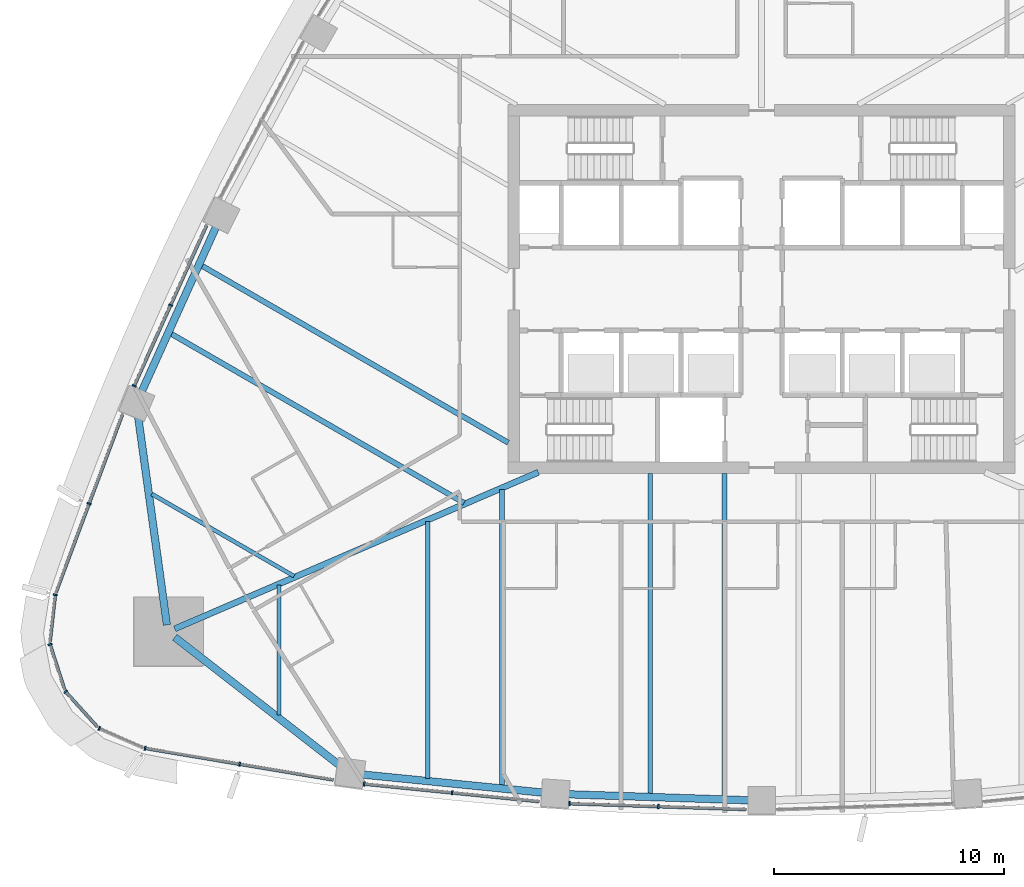
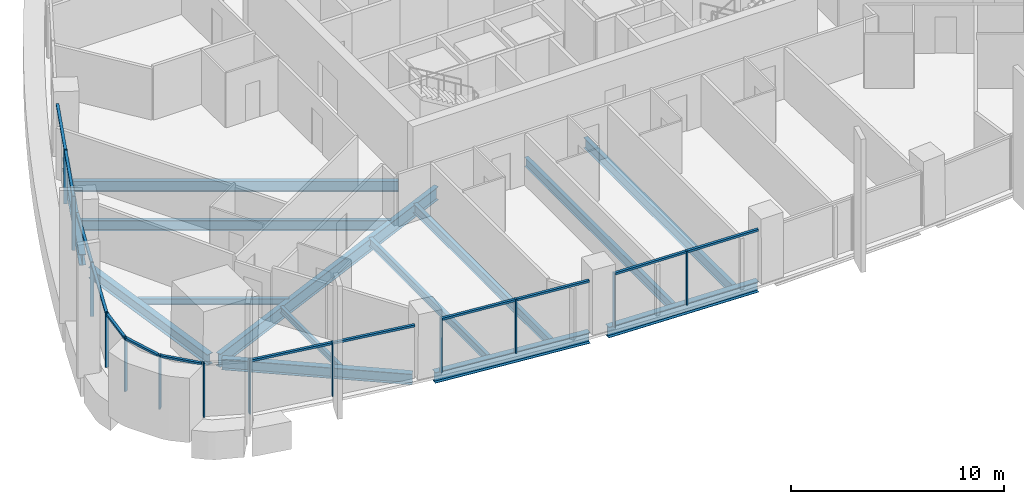
# One storey, part 2 of 22: 26 members, 14 beams, 9 elements without a shape of their own.
"""IFC4 building model written with IfcOpenShell, lengths in metres."""

from ifc_helpers import new_model, si_unit, direction, frame, origin, origin_2d, place, context, subcontext, project, spatial, rectangle, i_section, extrude, material, layer, layer_set, material_profile, profile_set, type_object, element, aggregate, save


model = new_model("IFC4")

# Units and contexts
model_context = context("Model", 3, precision=1e-05, world=origin(), true_north=direction((0.0, 1.0)))
body_context = subcontext(model_context, "Body", "Model", "MODEL_VIEW")
ifc_project = project(units=[si_unit("LENGTHUNIT", "METRE"), si_unit("AREAUNIT", "SQUARE_METRE"), si_unit("VOLUMEUNIT", "CUBIC_METRE"), si_unit("PLANEANGLEUNIT", "RADIAN"), si_unit("MASSUNIT", "GRAM", prefix="KILO")], contexts=[model_context])

# Site, building, storey
site_placement = place(None, origin())
site = spatial("IfcSite", under=ifc_project, at=site_placement, CompositionType="ELEMENT")
building_placement = place(site_placement, origin())
building = spatial("IfcBuilding", under=site, at=building_placement, Name="Sierra Prisma Convention Tower", CompositionType="ELEMENT")
storey_placement = place(building_placement, frame((0.0, 0.0, 96.10009765625)))
storey = spatial("IfcBuildingStorey", under=building, at=storey_placement, Name="L20", CompositionType="ELEMENT", Elevation=96.10009765625)

# Curtain wall, members
ifc_material_1 = material(Name="Aluminium and glass curtain wall", Category="aluminium")
ifc_layer = layer(ifc_material_1, 0.179931640625)
ifc_layer_set = layer_set([ifc_layer], Name="CW-1 Plain shaft curtain wall")
curtain_wall_type = type_object("IfcCurtainWallType", Name="CW-1 Plain shaft curtain wall", PredefinedType="NOTDEFINED", material=ifc_layer_set)
curtain_wall_1_placement = place(storey_placement, origin())
curtain_wall_1 = element("IfcCurtainWall", 1, at=curtain_wall_1_placement, inside=storey, type_object=curtain_wall_type, Name="CW-1 S1 L20", PredefinedType="NOTDEFINED")
ifc_material_2 = material(Name="Aluminium 6063-T6 bronze anodised", Category="aluminium")
ifc_material_profile_1 = material_profile(ifc_material_2, rectangle(XDim=0.179931640625, YDim=0.070068359375, at=origin_2d()), Name="ALU MULLION 70x180")
ifc_profile_set_1 = profile_set([ifc_material_profile_1], Name="Aluminium 6063-T6 bronze anodised")
member_type_1 = type_object("IfcMemberType", Name="CW mullion bronze", PredefinedType="MULLION", material=ifc_profile_set_1)
member_1_placement = place(storey_placement, frame((-26.758544921875, -19.93310546875, 0.0), z_axis=(0.0, 0.0, 1.0), x_axis=(0.165558035421, 0.986200049132, 0.0)))
member_1 = element("IfcMember", 2, at=member_1_placement, type_object=member_type_1, Name="CW-1 mullion S1.1", PredefinedType="MULLION", context=body_context, shape_type="SweptSolid", body=[
    extrude(rectangle(XDim=0.179931640625, YDim=0.070068359375, at=origin_2d()), origin(), (0.0, 0.0, 1.0), 3.099853515625),
])
member_2_placement = place(storey_placement, frame((-22.656494140625, -20.621826171875, 0.0), z_axis=(0.0, 0.0, 1.0), x_axis=(0.165558035421, 0.986200049132, 0.0)))
member_2 = element("IfcMember", 3, at=member_2_placement, type_object=member_type_1, Name="CW-1 mullion S1.2", PredefinedType="MULLION", context=body_context, shape_type="SweptSolid", body=[
    extrude(rectangle(XDim=0.179931640625, YDim=0.070068359375, at=origin_2d()), origin(), (0.0, 0.0, 1.0), 3.099853515625),
])

curtain_wall_2_placement = place(storey_placement, origin())
curtain_wall_2 = element("IfcCurtainWall", 4, at=curtain_wall_2_placement, inside=storey, type_object=curtain_wall_type, Name="CW-1 S2 L20", PredefinedType="NOTDEFINED")
member_3_placement = place(storey_placement, frame((-17.25146484375, -21.483154296875, 0.0), z_axis=(0.0, 0.0, 1.0), x_axis=(0.099628739306, 0.995024680249, 0.0)))
member_3 = element("IfcMember", 5, at=member_3_placement, type_object=member_type_1, Name="CW-1 mullion S2.1", PredefinedType="MULLION", context=body_context, shape_type="SweptSolid", body=[
    extrude(rectangle(XDim=0.179931640625, YDim=0.070068359375, at=origin_2d()), origin(), (0.0, 0.0, 1.0), 3.099853515625),
])
member_4_placement = place(storey_placement, frame((-13.43359375, -21.865478515625, 0.0), z_axis=(0.0, 0.0, 1.0), x_axis=(0.099628739306, 0.995024680249, 0.0)))
member_4 = element("IfcMember", 6, at=member_4_placement, type_object=member_type_1, Name="CW-1 mullion S2.2", PredefinedType="MULLION", context=body_context, shape_type="SweptSolid", body=[
    extrude(rectangle(XDim=0.179931640625, YDim=0.070068359375, at=origin_2d()), origin(), (0.0, 0.0, 1.0), 3.099853515625),
])

curtain_wall_3_placement = place(storey_placement, origin())
curtain_wall_3 = element("IfcCurtainWall", 7, at=curtain_wall_3_placement, inside=storey, type_object=curtain_wall_type, Name="CW-1 S3 L20", PredefinedType="NOTDEFINED")
member_5_placement = place(storey_placement, frame((-8.33642578125, -22.33251953125, 0.0), z_axis=(0.0, 0.0, 1.0), x_axis=(0.033258631213, 0.999446778698, 0.0)))
member_5 = element("IfcMember", 8, at=member_5_placement, type_object=member_type_1, Name="CW-1 mullion S3.1", PredefinedType="MULLION", context=body_context, shape_type="SweptSolid", body=[
    extrude(rectangle(XDim=0.179931640625, YDim=0.070068359375, at=origin_2d()), origin(), (0.0, 0.0, 1.0), 3.099853515625),
])
member_6_placement = place(storey_placement, frame((-4.485595703125, -22.460693359375, 0.0), z_axis=(0.0, 0.0, 1.0), x_axis=(0.033258631213, 0.999446778698, 0.0)))
member_6 = element("IfcMember", 9, at=member_6_placement, type_object=member_type_1, Name="CW-1 mullion S3.2", PredefinedType="MULLION", context=body_context, shape_type="SweptSolid", body=[
    extrude(rectangle(XDim=0.179931640625, YDim=0.070068359375, at=origin_2d()), origin(), (0.0, 0.0, 1.0), 3.099853515625),
])

curtain_wall_4_placement = place(storey_placement, origin())
curtain_wall_4 = element("IfcCurtainWall", 10, at=curtain_wall_4_placement, inside=storey, type_object=curtain_wall_type, Name="CW-1 NW5 L20", PredefinedType="NOTDEFINED")
member_7_placement = place(storey_placement, frame((-25.65283203125, -0.701171875, 0.0), z_axis=(0.0, 0.0, 1.0), x_axis=(0.911531020141, -0.411231320939, 0.0)))
member_7 = element("IfcMember", 11, at=member_7_placement, type_object=member_type_1, Name="CW-1 mullion NW5.2", PredefinedType="MULLION", context=body_context, shape_type="SweptSolid", body=[
    extrude(rectangle(XDim=0.179931640625, YDim=0.070068359375, at=origin_2d()), origin(), (0.0, 0.0, 1.0), 3.099853515625),
])
member_8_placement = place(storey_placement, frame((-27.230712890625, -4.198486328125, 0.0), z_axis=(0.0, 0.0, 1.0), x_axis=(0.911531020141, -0.411231320939, 0.0)))
member_8 = element("IfcMember", 12, at=member_8_placement, type_object=member_type_1, Name="CW-1 mullion NW5.3", PredefinedType="MULLION", context=body_context, shape_type="SweptSolid", body=[
    extrude(rectangle(XDim=0.179931640625, YDim=0.070068359375, at=origin_2d()), origin(), (0.0, 0.0, 1.0), 3.099853515625),
])

# Curtain wall, member
curtain_wall_5_placement = place(storey_placement, origin())
curtain_wall_5 = element("IfcCurtainWall", 13, at=curtain_wall_5_placement, inside=storey, type_object=curtain_wall_type, Name="CW-1 NW6 L20", PredefinedType="NOTDEFINED")
member_9_placement = place(storey_placement, frame((-29.187255859375, -9.310302734375, 0.0), z_axis=(0.0, 0.0, 1.0), x_axis=(0.936853313472, -0.34972256009, 0.0)))
member_9 = element("IfcMember", 14, at=member_9_placement, type_object=member_type_1, Name="CW-1 mullion NW6.2", PredefinedType="MULLION", context=body_context, shape_type="SweptSolid", body=[
    extrude(rectangle(XDim=0.179931640625, YDim=0.070068359375, at=origin_2d()), origin(), (0.0, 0.0, 1.0), 3.099853515625),
])

curtain_wall_6_placement = place(storey_placement, origin())
curtain_wall_6 = element("IfcCurtainWall", 15, at=curtain_wall_6_placement, inside=storey, type_object=curtain_wall_type, Name="CW-1 SW1 L20", PredefinedType="NOTDEFINED")
member_10_placement = place(storey_placement, frame((-30.657958984375, -13.274658203125, 0.0), z_axis=(0.0, 0.0, 1.0), x_axis=(0.993722483539, -0.111873257343, 0.0)))
member_10 = element("IfcMember", 16, at=member_10_placement, type_object=member_type_1, Name="CW-1 mullion SW1.1", PredefinedType="MULLION", context=body_context, shape_type="SweptSolid", body=[
    extrude(rectangle(XDim=0.179931640625, YDim=0.070068359375, at=origin_2d()), origin(), (0.0, 0.0, 1.0), 3.099853515625),
])

curtain_wall_7_placement = place(storey_placement, origin())
curtain_wall_7 = element("IfcCurtainWall", 17, at=curtain_wall_7_placement, inside=storey, type_object=curtain_wall_type, Name="CW-1 SW2 L20", PredefinedType="NOTDEFINED")
member_11_placement = place(storey_placement, frame((-30.8857421875, -15.426025390625, 0.0), z_axis=(0.0, 0.0, 1.0), x_axis=(0.951814656547, 0.306673865177, 0.0)))
member_11 = element("IfcMember", 18, at=member_11_placement, type_object=member_type_1, Name="CW-1 mullion SW2.1", PredefinedType="MULLION", context=body_context, shape_type="SweptSolid", body=[
    extrude(rectangle(XDim=0.179931640625, YDim=0.070068359375, at=origin_2d()), origin(), (0.0, 0.0, 1.0), 3.099853515625),
])

curtain_wall_8_placement = place(storey_placement, origin())
curtain_wall_8 = element("IfcCurtainWall", 19, at=curtain_wall_8_placement, inside=storey, type_object=curtain_wall_type, Name="CW-1 SW3 L20", PredefinedType="NOTDEFINED")
member_12_placement = place(storey_placement, frame((-30.208740234375, -17.48046875, 0.0), z_axis=(0.0, 0.0, 1.0), x_axis=(0.741494686193, 0.670958739676, 0.0)))
member_12 = element("IfcMember", 20, at=member_12_placement, type_object=member_type_1, Name="CW-1 mullion SW3.1", PredefinedType="MULLION", context=body_context, shape_type="SweptSolid", body=[
    extrude(rectangle(XDim=0.179931640625, YDim=0.070068359375, at=origin_2d()), origin(), (0.0, 0.0, 1.0), 3.099853515625),
])

curtain_wall_9_placement = place(storey_placement, origin())
curtain_wall_9 = element("IfcCurtainWall", 21, at=curtain_wall_9_placement, inside=storey, type_object=curtain_wall_type, Name="CW-1 SW4 L20", PredefinedType="NOTDEFINED")
member_13_placement = place(storey_placement, frame((-28.74658203125, -19.07470703125, 0.0), z_axis=(0.0, 0.0, 1.0), x_axis=(0.399976158907, 0.916525543728, 0.0)))
member_13 = element("IfcMember", 22, at=member_13_placement, type_object=member_type_1, Name="CW-1 mullion SW4.1", PredefinedType="MULLION", context=body_context, shape_type="SweptSolid", body=[
    extrude(rectangle(XDim=0.179931640625, YDim=0.070068359375, at=origin_2d()), origin(), (0.0, 0.0, 1.0), 3.099853515625),
])
aggregate(curtain_wall_9, [member_13])

# Member
ifc_material_3 = material(Name="Aluminium 6063-T6 bronze anodised", Category="aluminium")
ifc_material_profile_2 = material_profile(ifc_material_3, rectangle(XDim=0.139892578125, YDim=0.1201171875, at=origin_2d()), Name="ALU TRANSOM 120x140")
ifc_profile_set_2 = profile_set([ifc_material_profile_2], Name="Aluminium 6063-T6 bronze anodised")
member_type_2 = type_object("IfcMemberType", Name="CW transom bronze", PredefinedType="USERDEFINED", material=ifc_profile_set_2)
member_14_placement = place(storey_placement, frame((-26.72412109375, -19.93896484375, 3.039794921875), z_axis=(0.986201239641, -0.165550943612, 0.0), x_axis=(0.165550943612, 0.986201239641, 0.0)))
member_14 = element("IfcMember", 23, at=member_14_placement, type_object=member_type_2, Name="CW-1 transom S1.1", ObjectType="TRANSOM", PredefinedType="USERDEFINED", context=body_context, shape_type="SweptSolid", body=[
    extrude(rectangle(XDim=0.139892578125, YDim=0.1201171875, at=origin_2d()), origin(), (0.0, 0.0, 1.0), 4.08935546875),
])

member_15_placement = place(storey_placement, frame((-22.6220703125, -20.62744140625, 3.039794921875), z_axis=(0.986201239641, -0.165550943612, 0.0), x_axis=(0.165550943612, 0.986201239641, 0.0)))
member_15 = element("IfcMember", 24, at=member_15_placement, type_object=member_type_2, Name="CW-1 transom S1.2", ObjectType="TRANSOM", PredefinedType="USERDEFINED", context=body_context, shape_type="SweptSolid", body=[
    extrude(rectangle(XDim=0.139892578125, YDim=0.1201171875, at=origin_2d()), origin(), (0.0, 0.0, 1.0), 4.08935546875),
])

aggregate(curtain_wall_1, [member_1, member_2, member_14, member_15])

member_16_placement = place(storey_placement, frame((-17.216552734375, -21.48681640625, 3.039794921875), z_axis=(0.995025632483, -0.099619228578, 0.0), x_axis=(0.099619228578, 0.995025632483, 0.0)))
member_16 = element("IfcMember", 25, at=member_16_placement, type_object=member_type_2, Name="CW-1 transom S2.1", ObjectType="TRANSOM", PredefinedType="USERDEFINED", context=body_context, shape_type="SweptSolid", body=[
    extrude(rectangle(XDim=0.139892578125, YDim=0.1201171875, at=origin_2d()), origin(), (0.0, 0.0, 1.0), 3.766845703125),
])

member_17_placement = place(storey_placement, frame((-13.398681640625, -21.868896484375, 3.039794921875), z_axis=(0.995019205845, -0.099683398814, 0.0), x_axis=(0.099683398814, 0.995019205845, 0.0)))
member_17 = element("IfcMember", 26, at=member_17_placement, type_object=member_type_2, Name="CW-1 transom S2.2", ObjectType="TRANSOM", PredefinedType="USERDEFINED", context=body_context, shape_type="SweptSolid", body=[
    extrude(rectangle(XDim=0.139892578125, YDim=0.1201171875, at=origin_2d()), origin(), (0.0, 0.0, 1.0), 3.766845703125),
])

aggregate(curtain_wall_2, [member_3, member_4, member_16, member_17])

member_18_placement = place(storey_placement, frame((-8.301513671875, -22.333740234375, 3.039794921875), z_axis=(0.999447553962, -0.033235325776, 0.0), x_axis=(0.033235325776, 0.999447553962, 0.0)))
member_18 = element("IfcMember", 27, at=member_18_placement, type_object=member_type_2, Name="CW-1 transom S3.1", ObjectType="TRANSOM", PredefinedType="USERDEFINED", context=body_context, shape_type="SweptSolid", body=[
    extrude(rectangle(XDim=0.139892578125, YDim=0.1201171875, at=origin_2d()), origin(), (0.0, 0.0, 1.0), 3.783203125),
])

member_19_placement = place(storey_placement, frame((-4.45068359375, -22.4619140625, 3.039794921875), z_axis=(0.999447553962, -0.033235325776, 0.0), x_axis=(0.033235325776, 0.999447553962, 0.0)))
member_19 = element("IfcMember", 28, at=member_19_placement, type_object=member_type_2, Name="CW-1 transom S3.2", ObjectType="TRANSOM", PredefinedType="USERDEFINED", context=body_context, shape_type="SweptSolid", body=[
    extrude(rectangle(XDim=0.139892578125, YDim=0.1201171875, at=origin_2d()), origin(), (0.0, 0.0, 1.0), 3.783203125),
])

aggregate(curtain_wall_3, [member_5, member_6, member_18, member_19])

member_20_placement = place(storey_placement, frame((-24.08935546875, 2.764404296875, 3.039794921875), z_axis=(-0.411237643859, -0.91152816757, 0.0), x_axis=(0.91152816757, -0.411237643859, 0.0)))
member_20 = element("IfcMember", 29, at=member_20_placement, type_object=member_type_2, Name="CW-1 transom NW5.1", ObjectType="TRANSOM", PredefinedType="USERDEFINED", context=body_context, shape_type="SweptSolid", body=[
    extrude(rectangle(XDim=0.139892578125, YDim=0.1201171875, at=origin_2d()), origin(), (0.0, 0.0, 1.0), 3.766845703125),
])

member_21_placement = place(storey_placement, frame((-25.667236328125, -0.73291015625, 3.039794921875), z_axis=(-0.41121334974, -0.911539127517, 0.0), x_axis=(0.911539127517, -0.41121334974, 0.0)))
member_21 = element("IfcMember", 30, at=member_21_placement, type_object=member_type_2, Name="CW-1 transom NW5.2", ObjectType="TRANSOM", PredefinedType="USERDEFINED", context=body_context, shape_type="SweptSolid", body=[
    extrude(rectangle(XDim=0.139892578125, YDim=0.1201171875, at=origin_2d()), origin(), (0.0, 0.0, 1.0), 3.76708984375),
])

aggregate(curtain_wall_4, [member_7, member_8, member_20, member_21])

member_22_placement = place(storey_placement, frame((-27.744873046875, -5.4462890625, 3.039794921875), z_axis=(-0.349716440025, -0.936855598039, 0.0), x_axis=(0.936855598039, -0.349716440025, 0.0)))
member_22 = element("IfcMember", 31, at=member_22_placement, type_object=member_type_2, Name="CW-1 transom NW6.1", ObjectType="TRANSOM", PredefinedType="USERDEFINED", context=body_context, shape_type="SweptSolid", body=[
    extrude(rectangle(XDim=0.139892578125, YDim=0.1201171875, at=origin_2d()), origin(), (0.0, 0.0, 1.0), 4.089599609375),
])

member_23_placement = place(storey_placement, frame((-29.199462890625, -9.343017578125, 3.039794921875), z_axis=(-0.349716440025, -0.936855598039, 0.0), x_axis=(0.936855598039, -0.349716440025, 0.0)))
member_23 = element("IfcMember", 32, at=member_23_placement, type_object=member_type_2, Name="CW-1 transom NW6.2", ObjectType="TRANSOM", PredefinedType="USERDEFINED", context=body_context, shape_type="SweptSolid", body=[
    extrude(rectangle(XDim=0.139892578125, YDim=0.1201171875, at=origin_2d()), origin(), (0.0, 0.0, 1.0), 4.089599609375),
])

aggregate(curtain_wall_5, [member_9, member_22, member_23])

member_24_placement = place(storey_placement, frame((-30.661865234375, -13.3095703125, 3.039794921875), z_axis=(-0.111939045063, -0.993715074954, 0.0), x_axis=(0.993715074954, -0.111939045063, 0.0)))
member_24 = element("IfcMember", 33, at=member_24_placement, type_object=member_type_2, Name="CW-1 transom SW1.1", ObjectType="TRANSOM", PredefinedType="USERDEFINED", context=body_context, shape_type="SweptSolid", body=[
    extrude(rectangle(XDim=0.139892578125, YDim=0.1201171875, at=origin_2d()), origin(), (0.0, 0.0, 1.0), 2.026123046875),
])

aggregate(curtain_wall_6, [member_10, member_24])

member_25_placement = place(storey_placement, frame((-30.875, -15.459228515625, 3.039794921875), z_axis=(0.306633127039, -0.951827781378, 0.0), x_axis=(0.951827781378, 0.306633127039, 0.0)))
member_25 = element("IfcMember", 34, at=member_25_placement, type_object=member_type_2, Name="CW-1 transom SW2.1", ObjectType="TRANSOM", PredefinedType="USERDEFINED", context=body_context, shape_type="SweptSolid", body=[
    extrude(rectangle(XDim=0.139892578125, YDim=0.1201171875, at=origin_2d()), origin(), (0.0, 0.0, 1.0), 2.0263671875),
])

aggregate(curtain_wall_7, [member_11, member_25])

member_26_placement = place(storey_placement, frame((-30.18505859375, -17.50634765625, 3.039794921875), z_axis=(0.670859689927, -0.741584301635, 0.0), x_axis=(0.741584301635, 0.670859689927, 0.0)))
member_26 = element("IfcMember", 35, at=member_26_placement, type_object=member_type_2, Name="CW-1 transom SW3.1", ObjectType="TRANSOM", PredefinedType="USERDEFINED", context=body_context, shape_type="SweptSolid", body=[
    extrude(rectangle(XDim=0.139892578125, YDim=0.1201171875, at=origin_2d()), origin(), (0.0, 0.0, 1.0), 2.0263671875),
])

aggregate(curtain_wall_8, [member_12, member_26])

# Beams
ifc_material_4 = material(Name="Steel ASTM A992 Gr 50", Category="steel")
ifc_material_profile_3 = material_profile(ifc_material_4, i_section(OverallWidth=0.172119140625, OverallDepth=0.35791015625, WebThickness=0.0078125, FlangeThickness=0.01318359375, at=origin_2d()), Name="W360x57")
ifc_profile_set_3 = profile_set([ifc_material_profile_3], Name="Steel ASTM A992 Gr 50")
beam_type_1 = type_object("IfcBeamType", Name="Floor joist W360x57", PredefinedType="JOIST", material=ifc_profile_set_3)
beam_1_placement = place(storey_placement, frame((-20.93994140625, -18.48046875, -0.3291015625), z_axis=(0.0, 1.0, 0.0), x_axis=(-1.0, 0.0, 0.0)))
element("IfcBeam", 36, at=beam_1_placement, inside=storey, type_object=beam_type_1, Name="Floor joist L20 S02", PredefinedType="JOIST", context=body_context, shape_type="SweptSolid", body=[
    extrude(i_section(OverallWidth=0.172119140625, OverallDepth=0.35791015625, WebThickness=0.0078125, FlangeThickness=0.01318359375, at=origin_2d()), origin(), (0.0, 0.0, 1.0), 5.62451171875),
])
beam_2_placement = place(storey_placement, frame((-26.474609375, -8.89404296875, -0.3291015625), z_axis=(0.866019805275, -0.500009696777, 0.0), x_axis=(0.500009696777, 0.866019805275, 0.0)))
element("IfcBeam", 37, at=beam_2_placement, inside=storey, type_object=beam_type_1, Name="Floor joist L20 NW15", PredefinedType="JOIST", context=body_context, shape_type="SweptSolid", body=[
    extrude(i_section(OverallWidth=0.172119140625, OverallDepth=0.35791015625, WebThickness=0.0078125, FlangeThickness=0.01318359375, at=origin_2d()), origin(), (0.0, 0.0, 1.0), 7.136474609375),
])
ifc_material_5 = material(Name="Steel ASTM A992 Gr 50", Category="steel")
ifc_material_profile_4 = material_profile(ifc_material_5, i_section(OverallWidth=0.18994140625, OverallDepth=0.45703125, WebThickness=0.009033203125, FlangeThickness=0.014404296875, at=origin_2d()), Name="W460x74")
ifc_profile_set_4 = profile_set([ifc_material_profile_4], Name="Steel ASTM A992 Gr 50")
beam_type_2 = type_object("IfcBeamType", Name="Floor joist W460x74", PredefinedType="JOIST", material=ifc_profile_set_4)
beam_3_placement = place(storey_placement, frame((-14.496826171875, -21.243896484375, -0.378662109375), z_axis=(0.0, 1.0, 0.0), x_axis=(-1.0, 0.0, 0.0)))
element("IfcBeam", 38, at=beam_3_placement, inside=storey, type_object=beam_type_2, Name="Floor joist L20 S04", PredefinedType="JOIST", context=body_context, shape_type="SweptSolid", body=[
    extrude(i_section(OverallWidth=0.18994140625, OverallDepth=0.45703125, WebThickness=0.009033203125, FlangeThickness=0.014404296875, at=origin_2d()), origin(), (0.0, 0.0, 1.0), 11.1630859375),
])
ifc_material_6 = material(Name="Steel ASTM A992 Gr 50", Category="steel")
ifc_material_profile_5 = material_profile(ifc_material_6, i_section(OverallWidth=0.208984375, OverallDepth=0.532958984375, WebThickness=0.01025390625, FlangeThickness=0.015625, at=origin_2d()), Name="W530x92")
ifc_profile_set_5 = profile_set([ifc_material_profile_5], Name="Steel ASTM A992 Gr 50")
beam_type_3 = type_object("IfcBeamType", Name="Floor joist W530x92", PredefinedType="JOIST", material=ifc_profile_set_5)
beam_4_placement = place(storey_placement, frame((-11.275390625, -21.56640625, -0.41650390625), z_axis=(0.0, 1.0, 0.0), x_axis=(-1.0, 0.0, 0.0)))
element("IfcBeam", 39, at=beam_4_placement, inside=storey, type_object=beam_type_3, Name="Floor joist L20 S05", PredefinedType="JOIST", context=body_context, shape_type="SweptSolid", body=[
    extrude(i_section(OverallWidth=0.208984375, OverallDepth=0.532958984375, WebThickness=0.01025390625, FlangeThickness=0.015625, at=origin_2d()), origin(), (0.0, 0.0, 1.0), 12.873291015625),
])
beam_5_placement = place(storey_placement, frame((-4.832275390625, -21.9365234375, -0.41650390625), z_axis=(0.0, 1.0, 0.0), x_axis=(-1.0, 0.0, 0.0)))
element("IfcBeam", 40, at=beam_5_placement, inside=storey, type_object=beam_type_3, Name="Floor joist L20 S07", PredefinedType="JOIST", context=body_context, shape_type="SweptSolid", body=[
    extrude(i_section(OverallWidth=0.208984375, OverallDepth=0.532958984375, WebThickness=0.01025390625, FlangeThickness=0.015625, at=origin_2d()), origin(), (0.0, 0.0, 1.0), 13.9365234375),
])
ifc_material_7 = material(Name="Steel ASTM A992 Gr 50", Category="steel")
ifc_material_profile_6 = material_profile(ifc_material_7, i_section(OverallWidth=0.22802734375, OverallDepth=0.60302734375, WebThickness=0.010498046875, FlangeThickness=0.014892578125, at=origin_2d()), Name="W610x101")
ifc_profile_set_6 = profile_set([ifc_material_profile_6], Name="Steel ASTM A992 Gr 50")
beam_type_4 = type_object("IfcBeamType", Name="Floor joist W610x101", PredefinedType="JOIST", material=ifc_profile_set_6)
beam_6_placement = place(storey_placement, frame((-1.61083984375, -22.043701171875, -0.45166015625), z_axis=(0.0, 1.0, 0.0), x_axis=(-1.0, 0.0, 0.0)))
element("IfcBeam", 41, at=beam_6_placement, inside=storey, type_object=beam_type_4, Name="Floor joist L20 S08", PredefinedType="JOIST", context=body_context, shape_type="SweptSolid", body=[
    extrude(i_section(OverallWidth=0.22802734375, OverallDepth=0.60302734375, WebThickness=0.010498046875, FlangeThickness=0.014892578125, at=origin_2d()), origin(), (0.0, 0.0, 1.0), 14.043701171875),
])
beam_7_placement = place(storey_placement, frame((-24.314697265625, 1.0185546875, -0.45166015625), z_axis=(0.866025071195, -0.500000576062, 0.0), x_axis=(0.500000576062, 0.866025071195, 0.0)))
element("IfcBeam", 42, at=beam_7_placement, inside=storey, type_object=beam_type_4, Name="Floor joist L20 NW12", PredefinedType="JOIST", context=body_context, shape_type="SweptSolid", body=[
    extrude(i_section(OverallWidth=0.22802734375, OverallDepth=0.60302734375, WebThickness=0.010498046875, FlangeThickness=0.014892578125, at=origin_2d()), origin(), (0.0, 0.0, 1.0), 15.37451171875),
])
beam_8_placement = place(storey_placement, frame((-25.646240234375, -1.9326171875, -0.45166015625), z_axis=(0.866028236097, -0.499995094258, 0.0), x_axis=(0.499995094258, 0.866028236097, 0.0)))
element("IfcBeam", 43, at=beam_8_placement, inside=storey, type_object=beam_type_4, Name="Floor joist L20 NW13", PredefinedType="JOIST", context=body_context, shape_type="SweptSolid", body=[
    extrude(i_section(OverallWidth=0.22802734375, OverallDepth=0.60302734375, WebThickness=0.010498046875, FlangeThickness=0.014892578125, at=origin_2d()), origin(), (0.0, 0.0, 1.0), 14.701904296875),
])
ifc_material_8 = material(Name="Steel ASTM A992 Gr 50", Category="steel")
ifc_material_profile_7 = material_profile(ifc_material_8, i_section(OverallWidth=0.264892578125, OverallDepth=0.7529296875, WebThickness=0.01318359375, FlangeThickness=0.01708984375, at=origin_2d()), Name="W760x147")
ifc_profile_set_7 = profile_set([ifc_material_profile_7], Name="Steel ASTM A992 Gr 50")
beam_type_5 = type_object("IfcBeamType", Name="Radial girder W760x147", PredefinedType="BEAM", material=ifc_profile_set_7)
beam_9_placement = place(storey_placement, frame((-25.47216796875, -14.750244140625, -0.526611328125), z_axis=(0.918433660325, 0.395575039128, 0.0), x_axis=(-0.395575039128, 0.918433660325, 0.0)))
element("IfcBeam", 44, at=beam_9_placement, inside=storey, type_object=beam_type_5, Name="Radial girder L20 SW", PredefinedType="BEAM", context=body_context, shape_type="SweptSolid", body=[
    extrude(i_section(OverallWidth=0.264892578125, OverallDepth=0.7529296875, WebThickness=0.01318359375, FlangeThickness=0.01708984375, at=origin_2d()), origin(), (0.0, 0.0, 1.0), 17.18408203125),
])
ifc_material_9 = material(Name="Steel ASTM A992 Gr 50", Category="steel")
ifc_material_profile_8 = material_profile(ifc_material_9, i_section(OverallWidth=0.324951171875, OverallDepth=0.615966796875, WebThickness=0.013916015625, FlangeThickness=0.021484375, at=origin_2d()), Name="W610x174")
ifc_profile_set_8 = profile_set([ifc_material_profile_8], Name="Steel ASTM A992 Gr 50")
beam_type_6 = type_object("IfcBeamType", Name="Spandrel beam W610x174", PredefinedType="BEAM", material=ifc_profile_set_8)
beam_10_placement = place(storey_placement, frame((-25.47216796875, -15.11279296875, -0.4580078125), z_axis=(0.789482961149, -0.613772477434, 0.0), x_axis=(0.613772477434, 0.789482961149, 0.0)))
element("IfcBeam", 45, at=beam_10_placement, inside=storey, type_object=beam_type_6, Name="Spandrel L20-01", PredefinedType="BEAM", context=body_context, shape_type="SweptSolid", body=[
    extrude(i_section(OverallWidth=0.324951171875, OverallDepth=0.615966796875, WebThickness=0.013916015625, FlangeThickness=0.021484375, at=origin_2d()), origin(), (0.0, 0.0, 1.0), 9.048095703125),
])
for number, where, z_axis, x_axis, name in (
    (46, (-17.397216796875, -21.06689453125, -0.4580078125), (0.995025704191, -0.099618512332, 0.0), (0.099618512332, 0.995025704191, 0.0), "Spandrel L20-02"),
    (47, (-8.477294921875, -21.927978515625, -0.4580078125), (0.999446835516, -0.033256923733, 0.0), (0.033256923733, 0.999446835516, 0.0), "Spandrel L20-03"),
    (48, (-23.652587890625, 2.7607421875, -0.4580078125), (-0.411233528566, -0.911530024181, 0.0), (0.911530024181, -0.411233528566, 0.0), "Spandrel L20-17"),
):
    element("IfcBeam", number, at=place(storey_placement, frame(where, z_axis=z_axis, x_axis=x_axis)), inside=storey, type_object=beam_type_6, Name=name, PredefinedType="BEAM", context=body_context, shape_type="SweptSolid", body=[
        extrude(i_section(OverallWidth=0.324951171875, OverallDepth=0.615966796875, WebThickness=0.013916015625, FlangeThickness=0.021484375, at=origin_2d()), origin(), (0.0, 0.0, 1.0), 8.001708984375),
    ])
beam_11_placement = place(storey_placement, frame((-27.06201171875, -5.539794921875, -0.4580078125), z_axis=(0.136816645485, -0.990596388807, 0.0), x_axis=(0.990596388807, 0.136816645485, 0.0)))
element("IfcBeam", 49, at=beam_11_placement, inside=storey, type_object=beam_type_6, Name="Spandrel L20-18", PredefinedType="BEAM", context=body_context, shape_type="SweptSolid", body=[
    extrude(i_section(OverallWidth=0.324951171875, OverallDepth=0.615966796875, WebThickness=0.013916015625, FlangeThickness=0.021484375, at=origin_2d()), origin(), (0.0, 0.0, 1.0), 9.12548828125),
])

save(model, "model.ifc")
